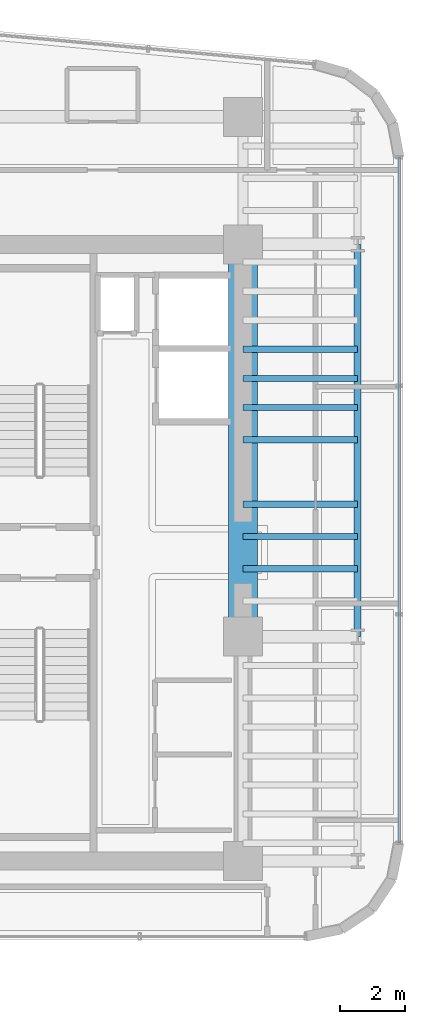
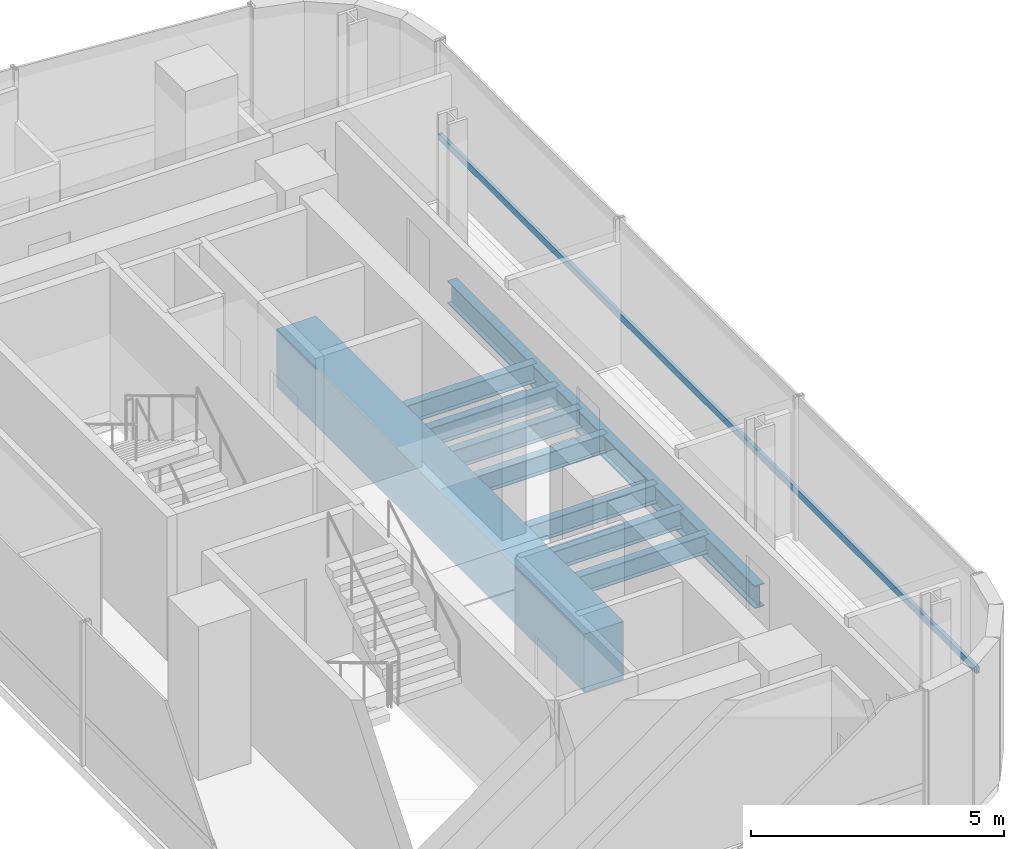
# One storey, part 18 of 36: 9 beams, 1 member, 1 element without a shape of its own.
"""IFC4 building model written with IfcOpenShell, lengths in metres."""

from ifc_helpers import new_model, si_unit, direction, frame, origin, origin_2d, place, context, subcontext, project, spatial, rectangle, hollow_rectangle, i_section, extrude, source, transform, mapped, material, material_profile, profile_set, type_object, element, aggregate, save


model = new_model("IFC4")

# Units and contexts
model_context = context("Model", 3, precision=1e-05, world=origin(), true_north=direction((0.0, 1.0)))
body_context = subcontext(model_context, "Body", "Model", "MODEL_VIEW")
ifc_project = project(units=[si_unit("LENGTHUNIT", "METRE"), si_unit("AREAUNIT", "SQUARE_METRE"), si_unit("VOLUMEUNIT", "CUBIC_METRE"), si_unit("PLANEANGLEUNIT", "RADIAN"), si_unit("MASSUNIT", "GRAM", prefix="KILO")], contexts=[model_context])

# Site, building, storey
site_placement = place(None, origin())
site = spatial("IfcSite", under=ifc_project, at=site_placement, CompositionType="ELEMENT")
building_placement = place(site_placement, origin())
building = spatial("IfcBuilding", under=site, at=building_placement, Name="Valdorenza Pilgrim Sanctuary Tower", CompositionType="ELEMENT")
storey_placement = place(building_placement, frame((0.0, 0.0, 153.800048828125)))
storey = spatial("IfcBuildingStorey", under=building, at=storey_placement, Name="L39", CompositionType="ELEMENT", Elevation=153.800048828125)

# Beams
ifc_material_1 = material(Name="Concrete C60/75", Category="concrete")
ifc_material_profile_1 = material_profile(ifc_material_1, rectangle(XDim=0.89990234375, YDim=1.39990234375, at=origin_2d()), Name="RC 1400x900")
ifc_profile_set_1 = profile_set([ifc_material_profile_1], Name="Concrete C60/75")
beam_type_1 = type_object("IfcBeamType", Name="STR-BM-LNT-1400", PredefinedType="LINTEL", material=ifc_profile_set_1)
shared_shape_1 = source(origin(), body_context, "Body", "SweptSolid", [
    extrude(rectangle(XDim=0.89990234375, YDim=1.39990234375, at=origin_2d()), origin(), (0.0, 0.0, 1.0), 12.150146484375),
])
beam_1_placement = place(storey_placement, frame((24.85009765625, -2.60009765625, -0.739990234375), z_axis=(0.0, 1.0, 0.0), x_axis=(-1.0, 0.0, 0.0)))
element("IfcBeam", 1, at=beam_1_placement, inside=storey, type_object=beam_type_1, Name="L39 Core B East Coupling Lintel Girder", PredefinedType="LINTEL", context=body_context, shape_type="MappedRepresentation", body=[
    mapped(shared_shape_1, transform((0.0, 0.0, 0.0), x_axis=(1.0, 0.0, 0.0), y_axis=(0.0, 1.0, 0.0), z_axis=(0.0, 0.0, 1.0), scale=1.0)),
])
ifc_material_2 = material(Name="Steel ASTM A992 Grade 50", Category="steel")
ifc_material_profile_2 = material_profile(ifc_material_2, i_section(OverallWidth=0.214111328125, OverallDepth=0.549072265625, WebThickness=0.0146484375, FlangeThickness=0.023681640625, at=origin_2d()), Name="W21X93")
ifc_profile_set_2 = profile_set([ifc_material_profile_2], Name="Steel ASTM A992 Grade 50")
beam_type_2 = type_object("IfcBeamType", Name="STR-BM-SPN-W21A", PredefinedType="SPANDREL", material=ifc_profile_set_2)
shared_shape_2 = source(origin(), body_context, "Body", "SweptSolid", [
    extrude(i_section(OverallWidth=0.214111328125, OverallDepth=0.549072265625, WebThickness=0.0146484375, FlangeThickness=0.023681640625, at=origin_2d()), origin(), (0.0, 0.0, 1.0), 12.150146484375),
])
beam_2_placement = place(storey_placement, frame((28.39990234375, -2.60009765625, -0.5146484375), z_axis=(0.0, 1.0, 0.0), x_axis=(-1.0, 0.0, 0.0)))
element("IfcBeam", 2, at=beam_2_placement, inside=storey, type_object=beam_type_2, Name="L39 Spandrel Beam WB-E-M0N1", PredefinedType="SPANDREL", context=body_context, shape_type="MappedRepresentation", body=[
    mapped(shared_shape_2, transform((0.0, 0.0, 0.0), x_axis=(1.0, 0.0, 0.0), y_axis=(0.0, 1.0, 0.0), z_axis=(0.0, 0.0, 1.0), scale=1.0)),
])
ifc_material_profile_3 = material_profile(ifc_material_2, i_section(OverallWidth=0.19091796875, OverallDepth=0.45703125, WebThickness=0.009033203125, FlangeThickness=0.014404296875, at=origin_2d()), Name="W18X50")
ifc_profile_set_3 = profile_set([ifc_material_profile_3], Name="Steel ASTM A992 Grade 50")
beam_type_3 = type_object("IfcBeamType", Name="STR-BM-JST-W18B", PredefinedType="JOIST", material=ifc_profile_set_3)
shared_shape_3 = source(origin(), body_context, "Body", "SweptSolid", [
    extrude(i_section(OverallWidth=0.19091796875, OverallDepth=0.45703125, WebThickness=0.009033203125, FlangeThickness=0.014404296875, at=origin_2d()), origin(), (0.0, 0.0, 1.0), 3.5498046875),
])
for number, where, z_axis, x_axis, name in (
    (3, (24.85009765625, -0.5, -0.468505859375), (1.0, 0.0, 0.0), (0.0, 1.0, 0.0), "L39 Composite Floor Joist JST-WB-9"),
    (4, (24.85009765625, 0.5, -0.468505859375), (1.0, 0.0, 0.0), (0.0, 1.0, 0.0), "L39 Composite Floor Joist JST-WB-10"),
    (5, (24.85009765625, 1.5, -0.468505859375), (1.0, 0.0, 0.0), (0.0, 1.0, 0.0), "L39 Composite Floor Joist JST-WB-11"),
    (6, (24.85009765625, 3.5, -0.468505859375), (1.0, 0.0, 0.0), (0.0, 1.0, 0.0), "L39 Composite Floor Joist JST-WB-12"),
    (7, (24.85009765625, 4.5, -0.468505859375), (1.0, 0.0, 0.0), (0.0, 1.0, 0.0), "L39 Composite Floor Joist JST-WB-13"),
    (8, (24.85009765625, 5.39990234375, -0.468505859375), (1.0, 0.0, 0.0), (0.0, 1.0, 0.0), "L39 Composite Floor Joist JST-WB-14"),
    (9, (24.85009765625, 6.300048828125, -0.468505859375), (1.0, 0.0, 0.0), (0.0, 1.0, 0.0), "L39 Composite Floor Joist JST-WB-15"),
):
    element("IfcBeam", number, at=place(storey_placement, frame(where, z_axis=z_axis, x_axis=x_axis)), inside=storey, type_object=beam_type_3, Name=name, PredefinedType="JOIST", context=body_context, shape_type="MappedRepresentation", body=[
        mapped(shared_shape_3, transform((0.0, 0.0, 0.0), x_axis=(1.0, 0.0, 0.0), y_axis=(0.0, 1.0, 0.0), z_axis=(0.0, 0.0, 1.0), scale=1.0)),
    ])

# Curtain wall, member
ifc_material_3 = material(Name="Curtain-wall IGU glazing", Category="glass")
curtain_wall_type = type_object("IfcCurtainWallType", Name="CW-SYS-03", PredefinedType="NOTDEFINED", material=ifc_material_3)
curtain_wall_placement = place(storey_placement, origin())
curtain_wall = element("IfcCurtainWall", 10, at=curtain_wall_placement, inside=storey, type_object=curtain_wall_type, Name="L39 Curtain Wall CW-L39-2-11", PredefinedType="NOTDEFINED")
ifc_material_4 = material(Name="Anodised aluminium AW-6060", Category="aluminium")
ifc_material_profile_4 = material_profile(ifc_material_4, hollow_rectangle(XDim=0.074951171875, YDim=0.159912109375, WallThickness=0.00390625, at=origin_2d()), Name="ALU-T 160x75x4")
ifc_profile_set_4 = profile_set([ifc_material_profile_4], Name="Anodised aluminium AW-6060")
member_type = type_object("IfcMemberType", Name="CW-TRN-03", PredefinedType="USERDEFINED", material=ifc_profile_set_4)
shared_shape_4 = source(origin(), body_context, "Body", "SweptSolid", [
    extrude(hollow_rectangle(XDim=0.074951171875, YDim=0.159912109375, WallThickness=0.00390625, at=origin_2d()), origin(), (0.0, 0.0, 1.0), 21.242431640625),
])
member_placement = place(storey_placement, frame((29.68994140625, 12.253173828125, 1.119873046875), z_axis=(0.0, -1.0, 0.0), x_axis=(1.0, 0.0, 0.0)))
member = element("IfcMember", 11, at=member_placement, type_object=member_type, Name="CW-L39-2-11 Transom 1", ObjectType="TRANSOM", PredefinedType="USERDEFINED", context=body_context, shape_type="MappedRepresentation", body=[
    mapped(shared_shape_4, transform((0.0, 0.0, 0.0), x_axis=(1.0, 0.0, 0.0), y_axis=(0.0, 1.0, 0.0), z_axis=(0.0, 0.0, 1.0), scale=1.0)),
])
aggregate(curtain_wall, [member])

save(model, "model.ifc")
